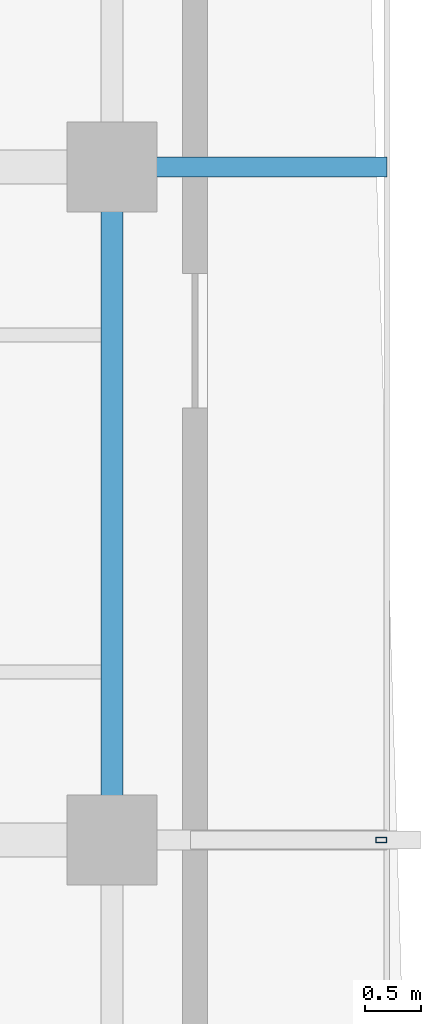
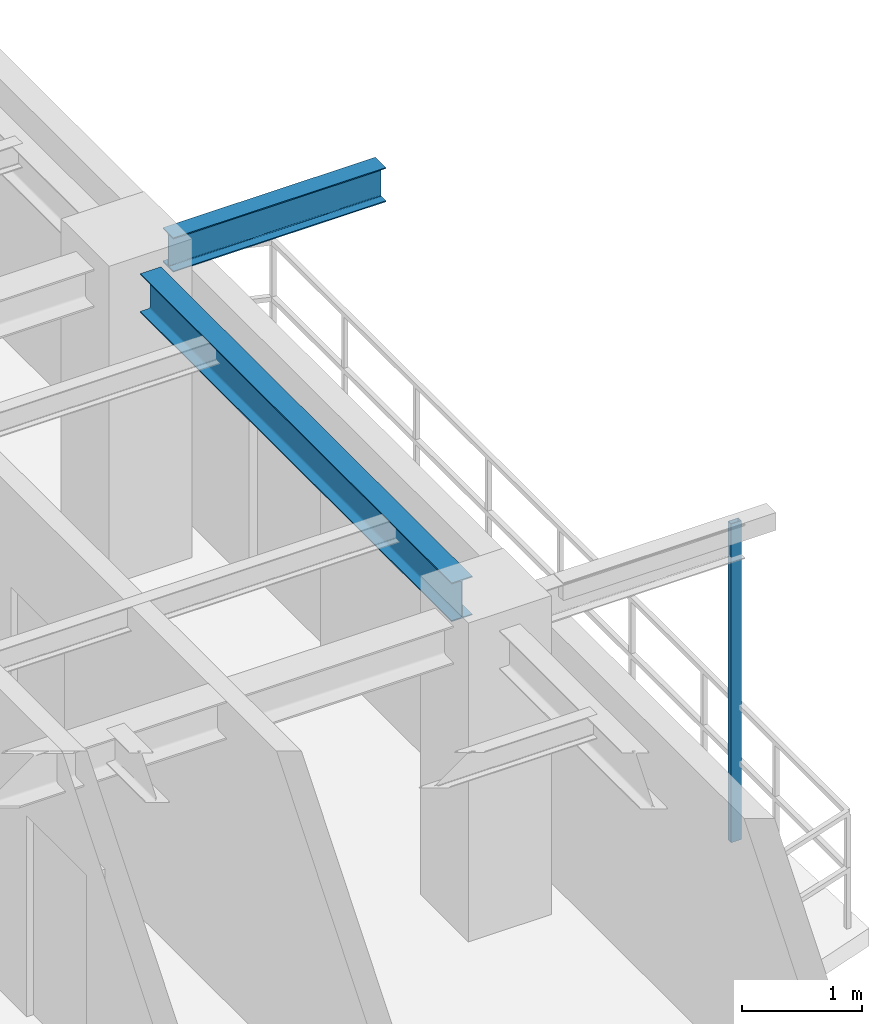
# One storey, part 7 of 15: 2 beams, 1 member.
"""IFC4 building model written with IfcOpenShell, lengths in metres."""

from ifc_helpers import new_model, si_unit, direction, frame, origin, origin_2d, place, context, subcontext, project, spatial, hollow_rectangle, i_section, extrude, source, transform, mapped, material, material_profile, profile_set, type_object, element, save


model = new_model("IFC4")

# Units and contexts
model_context = context("Model", 3, precision=1e-05, world=origin(), true_north=direction((0.0, 1.0)))
body_context = subcontext(model_context, "Body", "Model", "MODEL_VIEW")
ifc_project = project(units=[si_unit("LENGTHUNIT", "METRE"), si_unit("AREAUNIT", "SQUARE_METRE"), si_unit("VOLUMEUNIT", "CUBIC_METRE"), si_unit("PLANEANGLEUNIT", "RADIAN"), si_unit("MASSUNIT", "GRAM", prefix="KILO"), si_unit("THERMODYNAMICTEMPERATUREUNIT", "KELVIN"), si_unit("POWERUNIT", "WATT")], contexts=[model_context])

# Site, building, storey
site_placement = place(None, origin())
site = spatial("IfcSite", under=ifc_project, at=site_placement, CompositionType="ELEMENT")
building_placement = place(site_placement, origin())
building = spatial("IfcBuilding", under=site, at=building_placement, Name="Qiaomeng Ring Towers", CompositionType="ELEMENT")
storey_placement = place(building_placement, frame((0.0, 0.0, 226.25)))
storey = spatial("IfcBuildingStorey", under=building, at=storey_placement, Name="L66", CompositionType="ELEMENT", Elevation=226.25)

# Beams
ifc_material_1 = material(Name="Steel Q355B", Category="steel")
ifc_material_profile_1 = material_profile(ifc_material_1, i_section(OverallWidth=0.198974609375, OverallDepth=0.39599609375, WebThickness=0.007080078125, FlangeThickness=0.010986328125, FilletRadius=0.01611328125, at=origin_2d()), Name="HN 396x199x7x11")
ifc_profile_set_1 = profile_set([ifc_material_profile_1], Name="Steel Q355B")
beam_type_1 = type_object("IfcBeamType", Name="STR-BM-HN396", PredefinedType="SPANDREL", material=ifc_profile_set_1)
shared_shape_1 = source(origin(), body_context, "Body", "SweptSolid", [
    extrude(i_section(OverallWidth=0.198974609375, OverallDepth=0.39599609375, WebThickness=0.007080078125, FlangeThickness=0.010986328125, FilletRadius=0.01611328125, at=origin_2d()), origin(), (0.0, 0.0, 1.0), 5.2021484375),
])
beam_1_placement = place(storey_placement, frame((34.949951171875, 20.39892578125, 2.8720703125), z_axis=(0.0, 1.0, 0.0), x_axis=(-1.0, 0.0, 0.0)))
element("IfcBeam", 1, at=beam_1_placement, inside=storey, type_object=beam_type_1, Name="L66 beam STR-SP-L66-T1-E2-E3", PredefinedType="SPANDREL", context=body_context, shape_type="MappedRepresentation", body=[
    mapped(shared_shape_1, transform((0.0, 0.0, 0.0), x_axis=(1.0, 0.0, 0.0), y_axis=(0.0, 1.0, 0.0), z_axis=(0.0, 0.0, 1.0), scale=1.0)),
])
ifc_material_profile_2 = material_profile(ifc_material_1, i_section(OverallWidth=0.175048828125, OverallDepth=0.35009765625, WebThickness=0.007080078125, FlangeThickness=0.010986328125, FilletRadius=0.013916015625, at=origin_2d()), Name="HN 350x175x7x11")
ifc_profile_set_2 = profile_set([ifc_material_profile_2], Name="Steel Q355B")
beam_type_2 = type_object("IfcBeamType", Name="STR-BM-HN350", PredefinedType="JOIST", material=ifc_profile_set_2)
shared_shape_2 = source(origin(), body_context, "Body", "SweptSolid", [
    extrude(i_section(OverallWidth=0.175048828125, OverallDepth=0.35009765625, WebThickness=0.007080078125, FlangeThickness=0.010986328125, FilletRadius=0.013916015625, at=origin_2d()), origin(), (0.0, 0.0, 1.0), 2.05078125),
])
beam_2_placement = place(storey_placement, frame((35.34912109375, 26.0, 2.89501953125), z_axis=(1.0, 0.0, 0.0), x_axis=(0.0, 1.0, 0.0)))
element("IfcBeam", 2, at=beam_2_placement, inside=storey, type_object=beam_type_2, Name="L66 beam STR-BALBM-L66-E3", PredefinedType="JOIST", context=body_context, shape_type="MappedRepresentation", body=[
    mapped(shared_shape_2, transform((0.0, 0.0, 0.0), x_axis=(1.0, 0.0, 0.0), y_axis=(0.0, 1.0, 0.0), z_axis=(0.0, 0.0, 1.0), scale=1.0)),
])

# Member
ifc_material_2 = material(Name="Stainless steel 316", Category="steel")
ifc_material_profile_3 = material_profile(ifc_material_2, hollow_rectangle(XDim=0.050048828125, YDim=0.10009765625, WallThickness=0.00390625, at=origin_2d()), Name="SS TRELLIS 100x50")
ifc_profile_set_3 = profile_set([ifc_material_profile_3], Name="Stainless steel 316")
member_type = type_object("IfcMemberType", Name="ARC-TR-POST2", PredefinedType="STUD", material=ifc_profile_set_3)
shared_shape_3 = source(origin(), body_context, "Body", "SweptSolid", [
    extrude(hollow_rectangle(XDim=0.050048828125, YDim=0.10009765625, WallThickness=0.00390625, at=origin_2d()), origin(), (0.0, 0.0, 1.0), 3.25),
])
member_placement = place(storey_placement, frame((37.35009765625, 20.0, -0.179931640625), z_axis=(0.0, 0.0, 1.0), x_axis=(0.0, 1.0, 0.0)))
element("IfcMember", 3, at=member_placement, inside=storey, type_object=member_type, Name="L66 Outer Ventilated Trellis Post E", PredefinedType="STUD", context=body_context, shape_type="MappedRepresentation", body=[
    mapped(shared_shape_3, transform((0.0, 0.0, 0.0), x_axis=(1.0, 0.0, 0.0), y_axis=(0.0, 1.0, 0.0), z_axis=(0.0, 0.0, 1.0), scale=1.0)),
])

save(model, "model.ifc")
